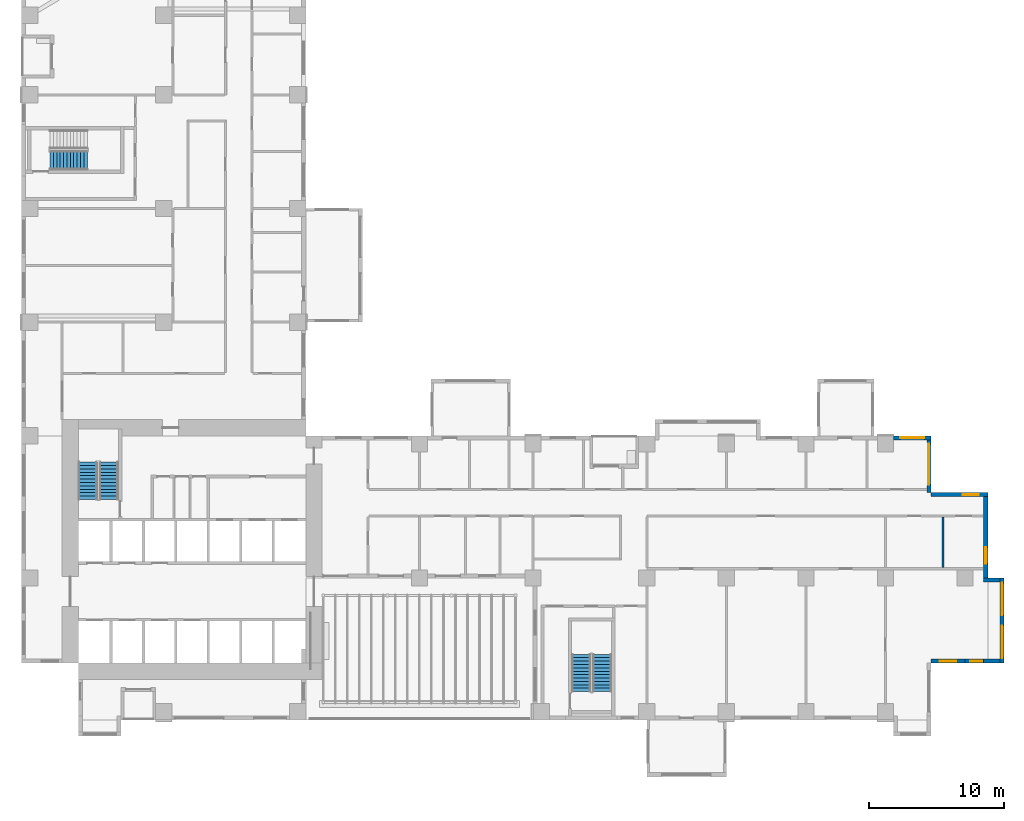
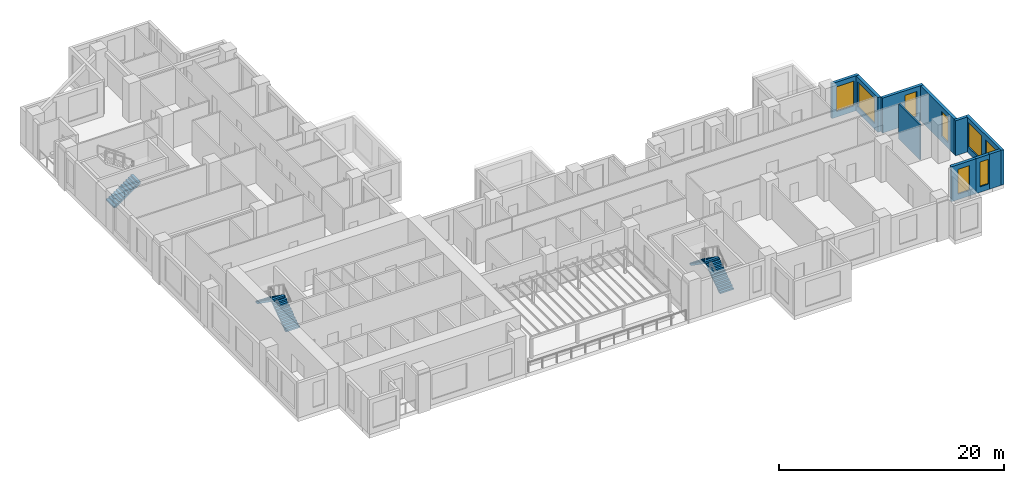
# One storey, part 11 of 16: 10 walls, 8 windows, 5 stair flights, 8 openings, 3 elements without a shape of their own.
"""IFC4 building model written with IfcOpenShell, lengths in metres."""

from ifc_helpers import new_model, si_unit, direction, frame, frame_2d, origin, place, context, subcontext, project, spatial, polyline, rectangle, outline, extrude, source, transform, mapped, material, layer, layer_set, type_object, element, fill, aggregate, save


model = new_model("IFC4")

# Units and contexts
model_context = context("Model", 3, precision=1e-05, world=origin(), true_north=direction((0.0, 1.0)))
body_context = subcontext(model_context, "Body", "Model", "MODEL_VIEW")
ifc_project = project(units=[si_unit("LENGTHUNIT", "METRE"), si_unit("AREAUNIT", "SQUARE_METRE"), si_unit("VOLUMEUNIT", "CUBIC_METRE"), si_unit("PLANEANGLEUNIT", "RADIAN"), si_unit("MASSUNIT", "GRAM", prefix="KILO")], contexts=[model_context])

# Site, building, storey
site_placement = place(None, origin())
site = spatial("IfcSite", under=ifc_project, at=site_placement, CompositionType="ELEMENT")
building_placement = place(site_placement, origin())
building = spatial("IfcBuilding", under=site, at=building_placement, Name="Aurelian Terraces", CompositionType="ELEMENT")
storey_placement = place(building_placement, frame((0.0, 0.0, 95.1)))
storey = spatial("IfcBuildingStorey", under=building, at=storey_placement, Name="L20", CompositionType="ELEMENT", Elevation=95.1)

# Wall, opening, window
ifc_material_1 = material(Name="Terracotta rainscreen cladding", Category="masonry")
ifc_layer_1 = layer(ifc_material_1, 0.3)
ifc_layer_set_1 = layer_set([ifc_layer_1], Name="EW-300")
wall_type_1 = type_object("IfcWallType", Name="EW-300", PredefinedType="STANDARD", material=ifc_layer_set_1)
shared_shape_1 = source(origin(), body_context, "Body", "SweptSolid", [
    extrude(rectangle(XDim=4.2, YDim=0.3, at=frame_2d((2.1, 0.0))), origin(), (0.0, 0.0, 1.0), 3.8),
])
wall_1_placement = place(storey_placement, frame((71.4, 16.65, 0.0), z_axis=(0.0, 0.0, 1.0), x_axis=(-1.0, 0.0, 0.0)))
wall_1 = element("IfcWall", 1, at=wall_1_placement, inside=storey, type_object=wall_type_1, Name="External wall L20 F09.19", PredefinedType="STANDARD", context=body_context, shape_type="MappedRepresentation", body=[
    mapped(shared_shape_1, transform((0.0, 0.0, 0.0), scale=1.0)),
])
shared_shape_2 = source(origin(), body_context, "Body", "SweptSolid", [
    extrude(rectangle(XDim=1.2, YDim=2.7, at=frame_2d((0.6, 1.35))), frame((0.0, 0.16, 0.0), z_axis=(0.0, -1.0, 0.0), x_axis=(1.0, 0.0, 0.0)), (0.0, 0.0, 1.0), 0.32),
])
opening_1_placement = place(wall_1_placement, frame((0.66, 0.0, 0.6)))
opening_1 = element("IfcOpeningElement", 2, at=opening_1_placement, cuts=wall_1, Name="Opening W1227", PredefinedType="OPENING", context=body_context, shape_type="MappedRepresentation", body=[
    mapped(shared_shape_2, transform((0.0, 0.0, 0.0), scale=1.0)),
])
ifc_material_2 = material(Name="Clear glazing", Category="glass")
window_type_1 = type_object("IfcWindowType", Name="W-1200x2700", PartitioningType="SINGLE_PANEL", PredefinedType="WINDOW", material=ifc_material_2)
shared_shape_3 = source(origin(), body_context, "Body", "SweptSolid", [
    extrude(rectangle(XDim=1.2, YDim=2.7, at=frame_2d((0.6, 1.35))), frame((0.0, 0.03, 0.0), z_axis=(0.0, -1.0, 0.0), x_axis=(1.0, 0.0, 0.0)), (0.0, 0.0, 1.0), 0.06),
])
window_1_placement = place(opening_1_placement, origin())
window_1 = element("IfcWindow", 3, at=window_1_placement, inside=storey, type_object=window_type_1, Name="Window L20 L20-F09-19-0", OverallHeight=2.7, OverallWidth=1.2, PartitioningType="SINGLE_PANEL", PredefinedType="WINDOW", context=body_context, shape_type="MappedRepresentation", body=[
    mapped(shared_shape_3, transform((0.0, 0.0, 0.0), scale=1.0)),
])
fill(opening_1, window_1)

wall_2_placement = place(storey_placement, frame((67.05, 16.8, 0.0), z_axis=(0.0, 0.0, 1.0), x_axis=(0.0, 1.0, 0.0)))
wall_2 = element("IfcWall", 4, at=wall_2_placement, inside=storey, type_object=wall_type_1, Name="External wall L20 F10.20", PredefinedType="STANDARD", context=body_context, shape_type="MappedRepresentation", body=[
    mapped(shared_shape_1, transform((0.0, 0.0, 0.0), scale=1.0)),
])
shared_shape_4 = source(origin(), body_context, "Body", "SweptSolid", [
    extrude(rectangle(XDim=3.0, YDim=2.7, at=frame_2d((1.5, 1.35))), frame((0.0, 0.16, 0.0), z_axis=(0.0, -1.0, 0.0), x_axis=(1.0, 0.0, 0.0)), (0.0, 0.0, 1.0), 0.32),
])
opening_2_placement = place(wall_2_placement, frame((0.6, 0.0, 0.6)))
opening_2 = element("IfcOpeningElement", 5, at=opening_2_placement, cuts=wall_2, Name="Opening W3027", PredefinedType="OPENING", context=body_context, shape_type="MappedRepresentation", body=[
    mapped(shared_shape_4, transform((0.0, 0.0, 0.0), scale=1.0)),
])
window_type_2 = type_object("IfcWindowType", Name="W-3000x2700", PartitioningType="SINGLE_PANEL", PredefinedType="WINDOW", material=ifc_material_2)
shared_shape_5 = source(origin(), body_context, "Body", "SweptSolid", [
    extrude(rectangle(XDim=3.0, YDim=2.7, at=frame_2d((1.5, 1.35))), frame((0.0, 0.03, 0.0), z_axis=(0.0, -1.0, 0.0), x_axis=(1.0, 0.0, 0.0)), (0.0, 0.0, 1.0), 0.06),
])
window_2_placement = place(opening_2_placement, origin())
window_2 = element("IfcWindow", 6, at=window_2_placement, inside=storey, type_object=window_type_2, Name="Window L20 L20-F10-20-0", OverallHeight=2.7, OverallWidth=3.0, PartitioningType="SINGLE_PANEL", PredefinedType="WINDOW", context=body_context, shape_type="MappedRepresentation", body=[
    mapped(shared_shape_5, transform((0.0, 0.0, 0.0), scale=1.0)),
])
fill(opening_2, window_2)

shared_shape_6 = source(origin(), body_context, "Body", "SweptSolid", [
    extrude(rectangle(XDim=2.76, YDim=0.3, at=frame_2d((1.38, 0.0))), origin(), (0.0, 0.0, 1.0), 3.8),
])
wall_3_placement = place(storey_placement, frame((67.2, 20.85, 0.0), z_axis=(0.0, 0.0, 1.0), x_axis=(-1.0, 0.0, 0.0)))
wall_3 = element("IfcWall", 7, at=wall_3_placement, inside=storey, type_object=wall_type_1, Name="External wall L20 F11.21", PredefinedType="STANDARD", context=body_context, shape_type="MappedRepresentation", body=[
    mapped(shared_shape_6, transform((0.0, 0.0, 0.0), scale=1.0)),
])
shared_shape_7 = source(origin(), body_context, "Body", "SweptSolid", [
    extrude(rectangle(XDim=1.8, YDim=2.7, at=frame_2d((0.9, 1.35))), frame((0.0, 0.16, 0.0), z_axis=(0.0, -1.0, 0.0), x_axis=(1.0, 0.0, 0.0)), (0.0, 0.0, 1.0), 0.32),
])
opening_3_placement = place(wall_3_placement, frame((0.48, 0.0, 0.6)))
opening_3 = element("IfcOpeningElement", 8, at=opening_3_placement, cuts=wall_3, Name="Opening W1827", PredefinedType="OPENING", context=body_context, shape_type="MappedRepresentation", body=[
    mapped(shared_shape_7, transform((0.0, 0.0, 0.0), scale=1.0)),
])
window_type_3 = type_object("IfcWindowType", Name="W-1800x2700", PartitioningType="SINGLE_PANEL", PredefinedType="WINDOW", material=ifc_material_2)
shared_shape_8 = source(origin(), body_context, "Body", "SweptSolid", [
    extrude(rectangle(XDim=1.8, YDim=2.7, at=frame_2d((0.9, 1.35))), frame((0.0, 0.03, 0.0), z_axis=(0.0, -1.0, 0.0), x_axis=(1.0, 0.0, 0.0)), (0.0, 0.0, 1.0), 0.06),
])
window_3_placement = place(opening_3_placement, origin())
window_3 = element("IfcWindow", 9, at=window_3_placement, inside=storey, type_object=window_type_3, Name="Window L20 L20-F11-21-P0", OverallHeight=2.7, OverallWidth=1.8, PartitioningType="SINGLE_PANEL", PredefinedType="WINDOW", context=body_context, shape_type="MappedRepresentation", body=[
    mapped(shared_shape_8, transform((0.0, 0.0, 0.0), scale=1.0)),
])
fill(opening_3, window_3)

# Walls
shared_shape_9 = source(origin(), body_context, "Body", "SweptSolid", [
    extrude(rectangle(XDim=1.2, YDim=0.3, at=frame_2d((0.6, 0.0))), origin(), (0.0, 0.0, 1.0), 3.8),
])
for number, where, z_axis, x_axis, name in (
    (10, (71.1, 4.35, 0.0), (0.0, 0.0, 1.0), (1.0, 0.0, 0.0), "Bay return L20 F08.17.1"),
    (11, (71.1, 10.35, 0.0), (0.0, 0.0, 1.0), (1.0, 0.0, 0.0), "Bay return L20 F08.17.2"),
):
    element("IfcWall", number, at=place(storey_placement, frame(where, z_axis=z_axis, x_axis=x_axis)), inside=storey, type_object=wall_type_1, Name=name, PredefinedType="STANDARD", context=body_context, shape_type="MappedRepresentation", body=[
        mapped(shared_shape_9, transform((0.0, 0.0, 0.0), scale=1.0)),
    ])

# Wall, opening, window
shared_shape_10 = source(origin(), body_context, "Body", "SweptSolid", [
    extrude(rectangle(XDim=2.52, YDim=0.3, at=frame_2d((1.26, 0.0))), origin(), (0.0, 0.0, 1.0), 3.8),
])
wall_4_placement = place(storey_placement, frame((67.2, 4.35, 0.0), z_axis=(0.0, 0.0, 1.0), x_axis=(1.0, 0.0, 0.0)))
wall_4 = element("IfcWall", 12, at=wall_4_placement, inside=storey, type_object=wall_type_1, Name="External wall L20 F07.15", PredefinedType="STANDARD", context=body_context, shape_type="MappedRepresentation", body=[
    mapped(shared_shape_10, transform((0.0, 0.0, 0.0), scale=1.0)),
])
opening_4_placement = place(wall_4_placement, frame((0.66, 0.0, 0.6)))
opening_4 = element("IfcOpeningElement", 13, at=opening_4_placement, cuts=wall_4, Name="Opening W1227", PredefinedType="OPENING", context=body_context, shape_type="MappedRepresentation", body=[
    mapped(shared_shape_2, transform((0.0, 0.0, 0.0), scale=1.0)),
])
window_4_placement = place(opening_4_placement, origin())
window_4 = element("IfcWindow", 14, at=window_4_placement, inside=storey, type_object=window_type_1, Name="Window L20 L20-F07-15-0", OverallHeight=2.7, OverallWidth=1.2, PartitioningType="SINGLE_PANEL", PredefinedType="WINDOW", context=body_context, shape_type="MappedRepresentation", body=[
    mapped(shared_shape_3, transform((0.0, 0.0, 0.0), scale=1.0)),
])
fill(opening_4, window_4)

shared_shape_11 = source(origin(), body_context, "Body", "SweptSolid", [
    extrude(rectangle(XDim=1.68, YDim=0.3, at=frame_2d((0.84, 0.0))), origin(), (0.0, 0.0, 1.0), 3.8),
])
wall_5_placement = place(storey_placement, frame((69.72, 4.35, 0.0), z_axis=(0.0, 0.0, 1.0), x_axis=(1.0, 0.0, 0.0)))
wall_5 = element("IfcWall", 15, at=wall_5_placement, inside=storey, type_object=wall_type_1, Name="External wall L20 F07.16", PredefinedType="STANDARD", context=body_context, shape_type="MappedRepresentation", body=[
    mapped(shared_shape_11, transform((0.0, 0.0, 0.0), scale=1.0)),
])
shared_shape_12 = source(origin(), body_context, "Body", "SweptSolid", [
    extrude(rectangle(XDim=0.9, YDim=2.7, at=frame_2d((0.45, 1.35))), frame((0.0, 0.16, 0.0), z_axis=(0.0, -1.0, 0.0), x_axis=(1.0, 0.0, 0.0)), (0.0, 0.0, 1.0), 0.32),
])
opening_5_placement = place(wall_5_placement, frame((0.39, 0.0, 0.6)))
opening_5 = element("IfcOpeningElement", 16, at=opening_5_placement, cuts=wall_5, Name="Opening W0927", PredefinedType="OPENING", context=body_context, shape_type="MappedRepresentation", body=[
    mapped(shared_shape_12, transform((0.0, 0.0, 0.0), scale=1.0)),
])
window_type_4 = type_object("IfcWindowType", Name="W-900x2700", PartitioningType="SINGLE_PANEL", PredefinedType="WINDOW", material=ifc_material_2)
shared_shape_13 = source(origin(), body_context, "Body", "SweptSolid", [
    extrude(rectangle(XDim=0.9, YDim=2.7, at=frame_2d((0.45, 1.35))), frame((0.0, 0.03, 0.0), z_axis=(0.0, -1.0, 0.0), x_axis=(1.0, 0.0, 0.0)), (0.0, 0.0, 1.0), 0.06),
])
window_5_placement = place(opening_5_placement, origin())
window_5 = element("IfcWindow", 17, at=window_5_placement, inside=storey, type_object=window_type_4, Name="Window L20 L20-F07-16-P0", OverallHeight=2.7, OverallWidth=0.9, PartitioningType="SINGLE_PANEL", PredefinedType="WINDOW", context=body_context, shape_type="MappedRepresentation", body=[
    mapped(shared_shape_13, transform((0.0, 0.0, 0.0), scale=1.0)),
])
fill(opening_5, window_5)

# Wall, openings, windows
shared_shape_14 = source(origin(), body_context, "Body", "SweptSolid", [
    extrude(rectangle(XDim=6.3, YDim=0.3, at=frame_2d((3.15, 0.0))), origin(), (0.0, 0.0, 1.0), 3.8),
])
wall_6_placement = place(storey_placement, frame((72.45, 4.2, 0.0), z_axis=(0.0, 0.0, 1.0), x_axis=(0.0, 1.0, 0.0)))
wall_6 = element("IfcWall", 18, at=wall_6_placement, inside=storey, type_object=wall_type_1, Name="Bay wall L20 F08.17", PredefinedType="STANDARD", context=body_context, shape_type="MappedRepresentation", body=[
    mapped(shared_shape_14, transform((0.0, 0.0, 0.0), scale=1.0)),
])
shared_shape_15 = source(origin(), body_context, "Body", "SweptSolid", [
    extrude(rectangle(XDim=2.4, YDim=2.7, at=frame_2d((1.2, 1.35))), frame((0.0, 0.16, 0.0), z_axis=(0.0, -1.0, 0.0), x_axis=(1.0, 0.0, 0.0)), (0.0, 0.0, 1.0), 0.32),
])
opening_6_placement = place(wall_6_placement, frame((0.375, 0.0, 0.6)))
opening_6 = element("IfcOpeningElement", 19, at=opening_6_placement, cuts=wall_6, Name="Opening W2427", PredefinedType="OPENING", context=body_context, shape_type="MappedRepresentation", body=[
    mapped(shared_shape_15, transform((0.0, 0.0, 0.0), scale=1.0)),
])
opening_7_placement = place(wall_6_placement, frame((3.525, 0.0, 0.6)))
opening_7 = element("IfcOpeningElement", 20, at=opening_7_placement, cuts=wall_6, Name="Opening W2427", PredefinedType="OPENING", context=body_context, shape_type="MappedRepresentation", body=[
    mapped(shared_shape_15, transform((0.0, 0.0, 0.0), scale=1.0)),
])
window_type_5 = type_object("IfcWindowType", Name="W-2400x2700", PartitioningType="SINGLE_PANEL", PredefinedType="WINDOW", material=ifc_material_2)
shared_shape_16 = source(origin(), body_context, "Body", "SweptSolid", [
    extrude(rectangle(XDim=2.4, YDim=2.7, at=frame_2d((1.2, 1.35))), frame((0.0, 0.03, 0.0), z_axis=(0.0, -1.0, 0.0), x_axis=(1.0, 0.0, 0.0)), (0.0, 0.0, 1.0), 0.06),
])
window_6_placement = place(opening_6_placement, origin())
window_6 = element("IfcWindow", 21, at=window_6_placement, inside=storey, type_object=window_type_5, Name="Window L20 L20-F08-17-0", OverallHeight=2.7, OverallWidth=2.4, PartitioningType="SINGLE_PANEL", PredefinedType="WINDOW", context=body_context, shape_type="MappedRepresentation", body=[
    mapped(shared_shape_16, transform((0.0, 0.0, 0.0), scale=1.0)),
])
fill(opening_6, window_6)
window_7_placement = place(opening_7_placement, origin())
window_7 = element("IfcWindow", 22, at=window_7_placement, inside=storey, type_object=window_type_5, Name="Window L20 L20-F08-17-1", OverallHeight=2.7, OverallWidth=2.4, PartitioningType="SINGLE_PANEL", PredefinedType="WINDOW", context=body_context, shape_type="MappedRepresentation", body=[
    mapped(shared_shape_16, transform((0.0, 0.0, 0.0), scale=1.0)),
])
fill(opening_7, window_7)

# Wall, opening, window
wall_7_placement = place(storey_placement, frame((71.25, 10.5, 0.0), z_axis=(0.0, 0.0, 1.0), x_axis=(0.0, 1.0, 0.0)))
wall_7 = element("IfcWall", 23, at=wall_7_placement, inside=storey, type_object=wall_type_1, Name="External wall L20 F08.18", PredefinedType="STANDARD", context=body_context, shape_type="MappedRepresentation", body=[
    mapped(shared_shape_14, transform((0.0, 0.0, 0.0), scale=1.0)),
])
opening_8_placement = place(wall_7_placement, frame((1.0625, 0.0, 0.6)))
opening_8 = element("IfcOpeningElement", 24, at=opening_8_placement, cuts=wall_7, Name="Opening W1227", PredefinedType="OPENING", context=body_context, shape_type="MappedRepresentation", body=[
    mapped(shared_shape_2, transform((0.0, 0.0, 0.0), scale=1.0)),
])
window_8_placement = place(opening_8_placement, origin())
window_8 = element("IfcWindow", 25, at=window_8_placement, inside=storey, type_object=window_type_1, Name="Window L20 L20-F08-18-0", OverallHeight=2.7, OverallWidth=1.2, PartitioningType="SINGLE_PANEL", PredefinedType="WINDOW", context=body_context, shape_type="MappedRepresentation", body=[
    mapped(shared_shape_3, transform((0.0, 0.0, 0.0), scale=1.0)),
])
fill(opening_8, window_8)

# Wall
ifc_material_3 = material(Name="Gypsum board on steel studs", Category="steel")
ifc_layer_2 = layer(ifc_material_3, 0.15)
ifc_layer_set_2 = layer_set([ifc_layer_2], Name="Partition 150")
wall_type_2 = type_object("IfcWallType", Name="Partition 150", PredefinedType="PARTITIONING", material=ifc_layer_set_2)
shared_shape_17 = source(origin(), body_context, "Body", "SweptSolid", [
    extrude(rectangle(XDim=3.75, YDim=0.15, at=frame_2d((1.875, 0.0))), origin(), (0.0, 0.0, 1.0), 3.8),
])
wall_8_placement = place(storey_placement, frame((68.0823, 11.25, 0.0), z_axis=(0.0, 0.0, 1.0), x_axis=(0.0, 1.0, 0.0)))
element("IfcWall", 26, at=wall_8_placement, inside=storey, type_object=wall_type_2, Name="Partition", PredefinedType="PARTITIONING", context=body_context, shape_type="MappedRepresentation", body=[
    mapped(shared_shape_17, transform((0.0, 0.0, 0.0), scale=1.0)),
])

# Stair, stair flights
ifc_material_4 = material(Name="Concrete fc' 40 MPa", Category="concrete")
stair_type = type_object("IfcStairType", Name="Stair 1400", PredefinedType="HALF_TURN_STAIR", material=ifc_material_4)
stair_1_placement = place(storey_placement, origin())
stair_1 = element("IfcStair", 27, at=stair_1_placement, inside=storey, type_object=stair_type, Name="L20 S1", PredefinedType="HALF_TURN_STAIR")
stair_flight_type = type_object("IfcStairFlightType", Name="Stair flight 1400", PredefinedType="STRAIGHT", material=ifc_material_4)
shared_shape_18 = source(origin(), body_context, "Body", "SweptSolid", [
    extrude(outline(polyline([(0.0, 0.0), (0.0, 0.175), (0.25, 0.175), (0.25, 0.35), (0.5, 0.35), (0.5, 0.525), (0.75, 0.525), (0.75, 0.7), (1.0, 0.7), (1.0, 0.875), (1.25, 0.875), (1.25, 1.05), (1.5, 1.05), (1.5, 1.225), (1.75, 1.225), (1.75, 1.4), (2.0, 1.4), (2.0, 1.575), (2.25, 1.575), (2.25, 1.75), (2.5, 1.75), (2.5, 1.925), (2.75, 1.925), (2.75, 2.1), (2.75, 1.7419), (0.2616, 0.0), (0.0, 0.0)])), frame((0.0, 0.7, 0.0), z_axis=(0.0, -1.0, 0.0), x_axis=(1.0, 0.0, 0.0)), (0.0, 0.0, 1.0), 1.4),
])
stair_flight_1_placement = place(storey_placement, frame((6.45, 16.3, 2e-08), z_axis=(0.0, 0.0, 1.0), x_axis=(0.0, 1.0, 0.0)))
stair_flight_1 = element("IfcStairFlight", 28, at=stair_flight_1_placement, type_object=stair_flight_type, Name="S1 flight 1", NumberOfRisers=12, NumberOfTreads=11, PredefinedType="STRAIGHT", RiserHeight=0.175, TreadLength=0.25, context=body_context, shape_type="MappedRepresentation", body=[
    mapped(shared_shape_18, transform((0.0, 0.0, 0.0), scale=1.0)),
])
stair_flight_2_placement = place(storey_placement, frame((4.9, 19.05, 2.1000000200000084), z_axis=(0.0, 0.0, 1.0), x_axis=(0.0, -1.0, 0.0)))
stair_flight_2 = element("IfcStairFlight", 29, at=stair_flight_2_placement, type_object=stair_flight_type, Name="S1 flight 2", NumberOfRisers=12, NumberOfTreads=11, PredefinedType="STRAIGHT", RiserHeight=0.175, TreadLength=0.25, context=body_context, shape_type="MappedRepresentation", body=[
    mapped(shared_shape_18, transform((0.0, 0.0, 0.0), scale=1.0)),
])
aggregate(stair_1, [stair_flight_1, stair_flight_2])

stair_2_placement = place(storey_placement, origin())
stair_2 = element("IfcStair", 30, at=stair_2_placement, inside=storey, type_object=stair_type, Name="L20 S2", PredefinedType="HALF_TURN_STAIR")
stair_flight_3_placement = place(storey_placement, frame((42.9, 2.1, 2e-08), z_axis=(0.0, 0.0, 1.0), x_axis=(0.0, 1.0, 0.0)))
stair_flight_3 = element("IfcStairFlight", 31, at=stair_flight_3_placement, type_object=stair_flight_type, Name="S2 flight 1", NumberOfRisers=12, NumberOfTreads=11, PredefinedType="STRAIGHT", RiserHeight=0.175, TreadLength=0.25, context=body_context, shape_type="MappedRepresentation", body=[
    mapped(shared_shape_18, transform((0.0, 0.0, 0.0), scale=1.0)),
])
stair_flight_4_placement = place(storey_placement, frame((41.35, 4.85, 2.1000000200000084), z_axis=(0.0, 0.0, 1.0), x_axis=(0.0, -1.0, 0.0)))
stair_flight_4 = element("IfcStairFlight", 32, at=stair_flight_4_placement, type_object=stair_flight_type, Name="S2 flight 2", NumberOfRisers=12, NumberOfTreads=11, PredefinedType="STRAIGHT", RiserHeight=0.175, TreadLength=0.25, context=body_context, shape_type="MappedRepresentation", body=[
    mapped(shared_shape_18, transform((0.0, 0.0, 0.0), scale=1.0)),
])
aggregate(stair_2, [stair_flight_3, stair_flight_4])

# Stair, stair flight
stair_3_placement = place(storey_placement, origin())
stair_3 = element("IfcStair", 33, at=stair_3_placement, inside=storey, type_object=stair_type, Name="L20 S3", PredefinedType="HALF_TURN_STAIR")
stair_flight_5_placement = place(storey_placement, frame((2.1, 41.35, 2e-08), z_axis=(0.0, 0.0, 1.0), x_axis=(1.0, 0.0, 0.0)))
stair_flight_5 = element("IfcStairFlight", 34, at=stair_flight_5_placement, type_object=stair_flight_type, Name="S3 flight 1", NumberOfRisers=12, NumberOfTreads=11, PredefinedType="STRAIGHT", RiserHeight=0.175, TreadLength=0.25, context=body_context, shape_type="MappedRepresentation", body=[
    mapped(shared_shape_18, transform((0.0, 0.0, 0.0), scale=1.0)),
])
aggregate(stair_3, [stair_flight_5])

save(model, "model.ifc")
